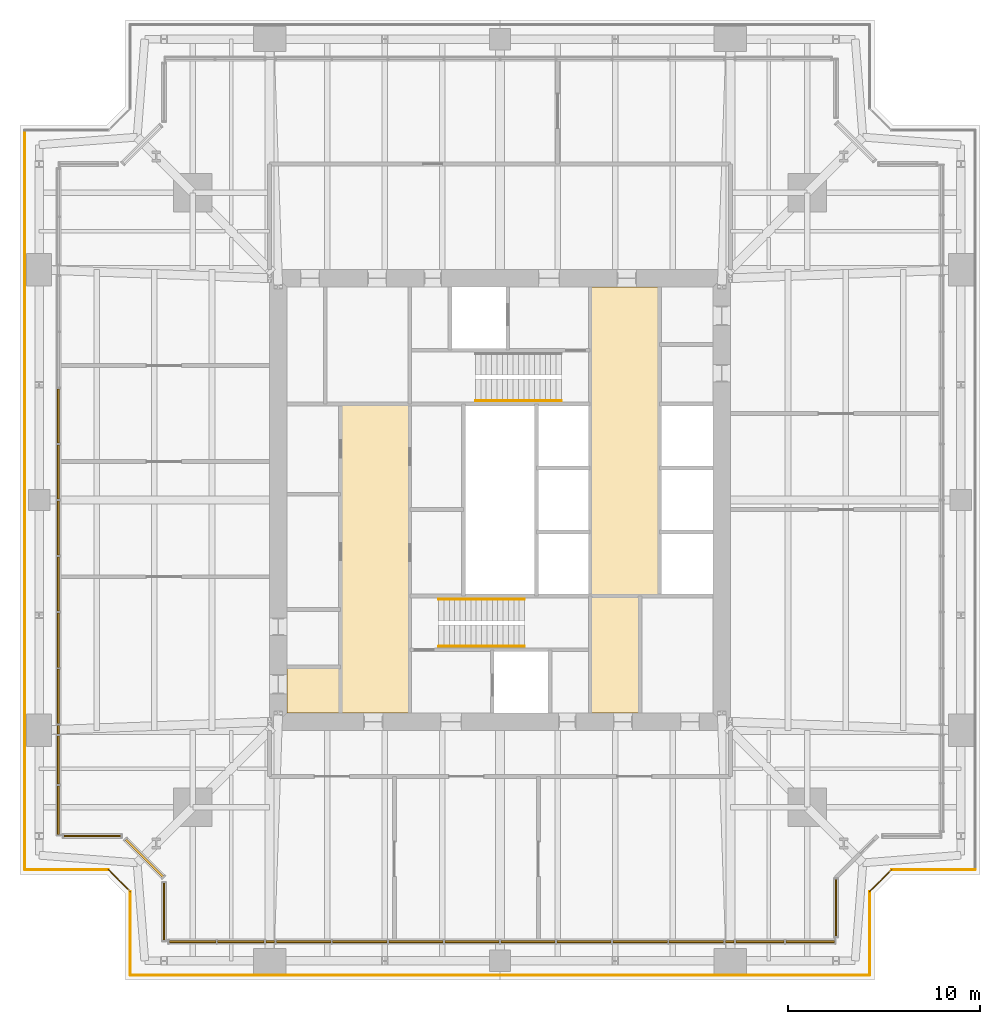
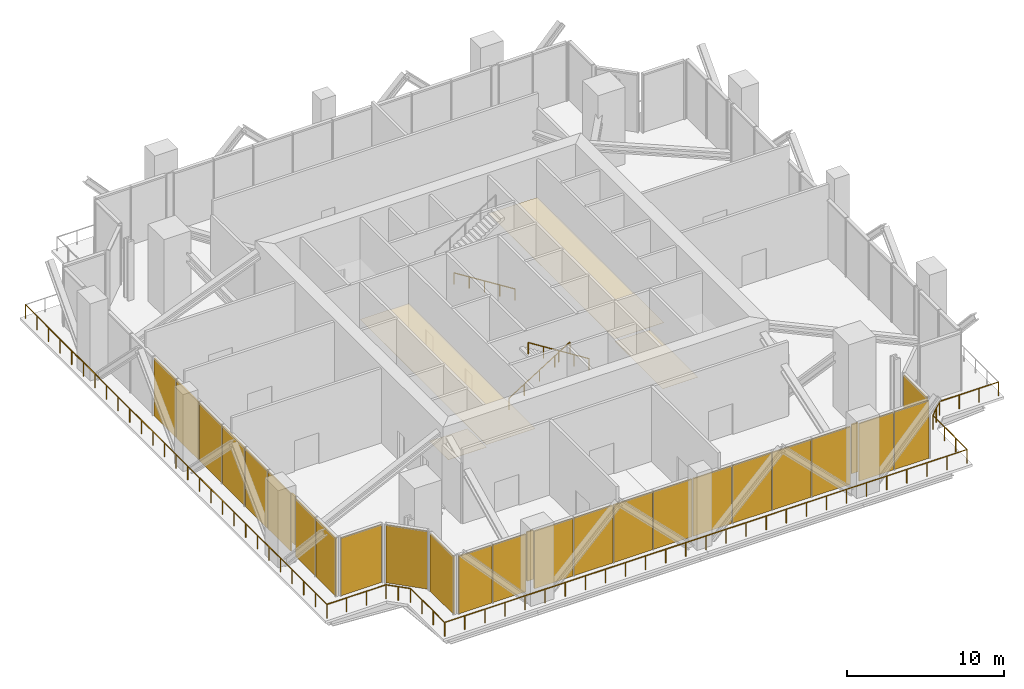
# One storey, part 12 of 14: 27 shading devices, 11 railings, 4 coverings, 9 elements without a shape of their own.
"""IFC4 building model written with IfcOpenShell, lengths in metres."""

from ifc_helpers import new_model, si_unit, direction, frame, origin, origin_2d, place, context, subcontext, project, spatial, polyline, rectangle, circle, outline, extrude, material, layer, layer_set, type_object, element, aggregate, save


model = new_model("IFC4")

# Units and contexts
model_context = context("Model", 3, precision=1e-05, world=origin(), true_north=direction((0.0, 1.0)))
body_context = subcontext(model_context, "Body", "Model", "MODEL_VIEW")
ifc_project = project(units=[si_unit("LENGTHUNIT", "METRE"), si_unit("AREAUNIT", "SQUARE_METRE"), si_unit("VOLUMEUNIT", "CUBIC_METRE"), si_unit("PLANEANGLEUNIT", "RADIAN"), si_unit("MASSUNIT", "GRAM", prefix="KILO")], contexts=[model_context])

# Site, building, storey
site_placement = place(None, origin())
site = spatial("IfcSite", under=ifc_project, at=site_placement, CompositionType="ELEMENT")
building_placement = place(site_placement, origin())
building = spatial("IfcBuilding", under=site, at=building_placement, Name="Fenwick Lantern Interchange", CompositionType="ELEMENT")
storey_placement = place(building_placement, frame((0.0, 0.0, 233.800048828125)))
storey = spatial("IfcBuildingStorey", under=building, at=storey_placement, Name="L55", CompositionType="ELEMENT", Elevation=233.800048828125)

# Railings
ifc_material_1 = material(Name="Stainless steel handrail", Category="steel")
railing_type_1 = type_object("IfcRailingType", Name="HANDRAIL 900", PredefinedType="HANDRAIL", material=ifc_material_1)
railing_1_placement = place(storey_placement, frame((21.800048828125, 19.825927734375, 0.176513671875)))
element("IfcRailing", 1, at=railing_1_placement, inside=storey, type_object=railing_type_1, Name="L55/STAIR/ST1/HR1", PredefinedType="HANDRAIL", context=body_context, shape_type="SweptSolid", body=[
    extrude(circle(Radius=0.02392578125, at=origin_2d()), frame((0.0, 0.0, 0.8759765625), z_axis=(0.845997938375, 0.0, 0.533186166611), x_axis=(0.0, 1.0, 0.0)), (0.0, 0.0, 1.0), 5.29541015625),
    extrude(circle(Radius=0.02099609375, at=origin_2d()), origin(), (0.0, 0.0, 1.0), 0.851806640625),
    extrude(circle(Radius=0.02099609375, at=origin_2d()), frame((1.1201171875, 0.0, 0.705810546875)), (0.0, 0.0, 1.0), 0.851806640625),
    extrude(circle(Radius=0.02099609375, at=origin_2d()), frame((2.239990234375, 0.0, 1.41162109375)), (0.0, 0.0, 1.0), 0.851806640625),
    extrude(circle(Radius=0.02099609375, at=origin_2d()), frame((3.35986328125, 0.0, 2.11767578125)), (0.0, 0.0, 1.0), 0.851806640625),
    extrude(circle(Radius=0.02099609375, at=origin_2d()), frame((4.47998046875, 0.0, 2.823486328125)), (0.0, 0.0, 1.0), 0.851806640625),
])
for number, where, name in (
    (2, (26.280029296875, 17.3740234375, 3.176513671875), "L55/STAIR/ST1/HR2"),
    (3, (28.199951171875, 30.174072265625, 0.176513671875), "L55/STAIR/ST2/HR1"),
):
    element("IfcRailing", number, at=place(storey_placement, frame(where)), inside=storey, type_object=railing_type_1, Name=name, PredefinedType="HANDRAIL", context=body_context, shape_type="SweptSolid", body=[
        extrude(circle(Radius=0.02392578125, at=origin_2d()), frame((0.0, 0.0, 0.8759765625), z_axis=(-0.845997938375, 0.0, 0.533186166611), x_axis=(0.0, -1.0, 0.0)), (0.0, 0.0, 1.0), 5.29541015625),
        extrude(circle(Radius=0.02099609375, at=origin_2d()), origin(), (0.0, 0.0, 1.0), 0.851806640625),
        extrude(circle(Radius=0.02099609375, at=origin_2d()), frame((-1.1201171875, 0.0, 0.705810546875)), (0.0, 0.0, 1.0), 0.851806640625),
        extrude(circle(Radius=0.02099609375, at=origin_2d()), frame((-2.239990234375, 0.0, 1.41162109375)), (0.0, 0.0, 1.0), 0.851806640625),
        extrude(circle(Radius=0.02099609375, at=origin_2d()), frame((-3.35986328125, 0.0, 2.11767578125)), (0.0, 0.0, 1.0), 0.851806640625),
        extrude(circle(Radius=0.02099609375, at=origin_2d()), frame((-4.47998046875, 0.0, 2.823486328125)), (0.0, 0.0, 1.0), 0.851806640625),
    ])
ifc_material_2 = material(Name="Galvanised steel guard", Category="steel")
railing_type_2 = type_object("IfcRailingType", Name="MAINTENANCE LEDGE GUARD 1100", PredefinedType="GUARDRAIL", material=ifc_material_2)
railing_2_placement = place(storey_placement, frame((5.75, 0.25, 0.0)))
element("IfcRailing", 4, at=railing_2_placement, inside=storey, type_object=railing_type_2, Name="L55/GR/LEDGE01", PredefinedType="GUARDRAIL", context=body_context, shape_type="SweptSolid", body=[
    extrude(circle(Radius=0.02392578125, at=origin_2d()), frame((0.0, 0.0, 1.076171875), z_axis=(1.0, 0.0, 0.0), x_axis=(0.0, 1.0, 0.0)), (0.0, 0.0, 1.0), 38.5),
    extrude(circle(Radius=0.02099609375, at=origin_2d()), origin(), (0.0, 0.0, 1.0), 1.052001953125),
    extrude(circle(Radius=0.02099609375, at=origin_2d()), frame((1.480712890625, 0.0, 0.0)), (0.0, 0.0, 1.0), 1.052001953125),
    extrude(circle(Radius=0.02099609375, at=origin_2d()), frame((2.96142578125, 0.0, 0.0)), (0.0, 0.0, 1.0), 1.052001953125),
    extrude(circle(Radius=0.02099609375, at=origin_2d()), frame((4.4423828125, 0.0, 0.0)), (0.0, 0.0, 1.0), 1.052001953125),
    extrude(circle(Radius=0.02099609375, at=origin_2d()), frame((5.923095703125, 0.0, 0.0)), (0.0, 0.0, 1.0), 1.052001953125),
    extrude(circle(Radius=0.02099609375, at=origin_2d()), frame((7.40380859375, 0.0, 0.0)), (0.0, 0.0, 1.0), 1.052001953125),
    extrude(circle(Radius=0.02099609375, at=origin_2d()), frame((8.884521484375, 0.0, 0.0)), (0.0, 0.0, 1.0), 1.052001953125),
    extrude(circle(Radius=0.02099609375, at=origin_2d()), frame((10.365478515625, 0.0, 0.0)), (0.0, 0.0, 1.0), 1.052001953125),
    extrude(circle(Radius=0.02099609375, at=origin_2d()), frame((11.84619140625, 0.0, 0.0)), (0.0, 0.0, 1.0), 1.052001953125),
    extrude(circle(Radius=0.02099609375, at=origin_2d()), frame((13.326904296875, 0.0, 0.0)), (0.0, 0.0, 1.0), 1.052001953125),
    extrude(circle(Radius=0.02099609375, at=origin_2d()), frame((14.8076171875, 0.0, 0.0)), (0.0, 0.0, 1.0), 1.052001953125),
    extrude(circle(Radius=0.02099609375, at=origin_2d()), frame((16.28857421875, 0.0, 0.0)), (0.0, 0.0, 1.0), 1.052001953125),
    extrude(circle(Radius=0.02099609375, at=origin_2d()), frame((17.769287109375, 0.0, 0.0)), (0.0, 0.0, 1.0), 1.052001953125),
    extrude(circle(Radius=0.02099609375, at=origin_2d()), frame((19.25, 0.0, 0.0)), (0.0, 0.0, 1.0), 1.052001953125),
    extrude(circle(Radius=0.02099609375, at=origin_2d()), frame((20.730712890625, 0.0, 0.0)), (0.0, 0.0, 1.0), 1.052001953125),
    extrude(circle(Radius=0.02099609375, at=origin_2d()), frame((22.21142578125, 0.0, 0.0)), (0.0, 0.0, 1.0), 1.052001953125),
    extrude(circle(Radius=0.02099609375, at=origin_2d()), frame((23.6923828125, 0.0, 0.0)), (0.0, 0.0, 1.0), 1.052001953125),
    extrude(circle(Radius=0.02099609375, at=origin_2d()), frame((25.173095703125, 0.0, 0.0)), (0.0, 0.0, 1.0), 1.052001953125),
    extrude(circle(Radius=0.02099609375, at=origin_2d()), frame((26.65380859375, 0.0, 0.0)), (0.0, 0.0, 1.0), 1.052001953125),
    extrude(circle(Radius=0.02099609375, at=origin_2d()), frame((28.134521484375, 0.0, 0.0)), (0.0, 0.0, 1.0), 1.052001953125),
    extrude(circle(Radius=0.02099609375, at=origin_2d()), frame((29.615478515625, 0.0, 0.0)), (0.0, 0.0, 1.0), 1.052001953125),
    extrude(circle(Radius=0.02099609375, at=origin_2d()), frame((31.09619140625, 0.0, 0.0)), (0.0, 0.0, 1.0), 1.052001953125),
    extrude(circle(Radius=0.02099609375, at=origin_2d()), frame((32.576904296875, 0.0, 0.0)), (0.0, 0.0, 1.0), 1.052001953125),
    extrude(circle(Radius=0.02099609375, at=origin_2d()), frame((34.0576171875, 0.0, 0.0)), (0.0, 0.0, 1.0), 1.052001953125),
    extrude(circle(Radius=0.02099609375, at=origin_2d()), frame((35.53857421875, 0.0, 0.0)), (0.0, 0.0, 1.0), 1.052001953125),
    extrude(circle(Radius=0.02099609375, at=origin_2d()), frame((37.019287109375, 0.0, 0.0)), (0.0, 0.0, 1.0), 1.052001953125),
    extrude(circle(Radius=0.02099609375, at=origin_2d()), frame((38.5, 0.0, 0.0)), (0.0, 0.0, 1.0), 1.052001953125),
])
railing_3_placement = place(storey_placement, frame((44.25, 0.25, 0.0)))
element("IfcRailing", 5, at=railing_3_placement, inside=storey, type_object=railing_type_2, Name="L55/GR/LEDGE02", PredefinedType="GUARDRAIL", context=body_context, shape_type="SweptSolid", body=[
    extrude(circle(Radius=0.02392578125, at=origin_2d()), frame((0.0, 0.0, 1.076171875), z_axis=(0.0, 1.0, 0.0), x_axis=(-1.0, 0.0, 0.0)), (0.0, 0.0, 1.0), 4.353515625),
    extrude(circle(Radius=0.02099609375, at=origin_2d()), origin(), (0.0, 0.0, 1.0), 1.052001953125),
    extrude(circle(Radius=0.02099609375, at=origin_2d()), frame((0.0, 1.451171875, 0.0)), (0.0, 0.0, 1.0), 1.052001953125),
    extrude(circle(Radius=0.02099609375, at=origin_2d()), frame((0.0, 2.90234375, 0.0)), (0.0, 0.0, 1.0), 1.052001953125),
    extrude(circle(Radius=0.02099609375, at=origin_2d()), frame((0.0, 4.353515625, 0.0)), (0.0, 0.0, 1.0), 1.052001953125),
])
railing_4_placement = place(storey_placement, frame((44.25, 4.603515625, 0.0)))
element("IfcRailing", 6, at=railing_4_placement, inside=storey, type_object=railing_type_2, Name="L55/GR/LEDGE03", PredefinedType="GUARDRAIL", context=body_context, shape_type="SweptSolid", body=[
    extrude(circle(Radius=0.02392578125, at=origin_2d()), frame((0.0, 0.0, 1.076171875), z_axis=(0.707106781187, 0.707106781187, 0.0), x_axis=(-0.707106781187, 0.707106781187, 0.0)), (0.0, 0.0, 1.0), 1.621337890625),
    extrude(circle(Radius=0.02099609375, at=origin_2d()), origin(), (0.0, 0.0, 1.0), 1.052001953125),
    extrude(circle(Radius=0.02099609375, at=origin_2d()), frame((0.5732421875, 0.5732421875, 0.0)), (0.0, 0.0, 1.0), 1.052001953125),
    extrude(circle(Radius=0.02099609375, at=origin_2d()), frame((1.146484375, 1.146484375, 0.0)), (0.0, 0.0, 1.0), 1.052001953125),
])
railing_5_placement = place(storey_placement, frame((45.396484375, 5.75, 0.0)))
element("IfcRailing", 7, at=railing_5_placement, inside=storey, type_object=railing_type_2, Name="L55/GR/LEDGE04", PredefinedType="GUARDRAIL", context=body_context, shape_type="SweptSolid", body=[
    extrude(circle(Radius=0.02392578125, at=origin_2d()), frame((0.0, 0.0, 1.076171875), z_axis=(1.0, 0.0, 0.0), x_axis=(0.0, 1.0, 0.0)), (0.0, 0.0, 1.0), 4.353515625),
    extrude(circle(Radius=0.02099609375, at=origin_2d()), origin(), (0.0, 0.0, 1.0), 1.052001953125),
    extrude(circle(Radius=0.02099609375, at=origin_2d()), frame((1.451171875, 0.0, 0.0)), (0.0, 0.0, 1.0), 1.052001953125),
    extrude(circle(Radius=0.02099609375, at=origin_2d()), frame((2.90234375, 0.0, 0.0)), (0.0, 0.0, 1.0), 1.052001953125),
    extrude(circle(Radius=0.02099609375, at=origin_2d()), frame((4.353515625, 0.0, 0.0)), (0.0, 0.0, 1.0), 1.052001953125),
])
railing_6_placement = place(storey_placement, frame((0.25, 44.25, 0.0)))
element("IfcRailing", 8, at=railing_6_placement, inside=storey, type_object=railing_type_2, Name="L55/GR/LEDGE13", PredefinedType="GUARDRAIL", context=body_context, shape_type="SweptSolid", body=[
    extrude(circle(Radius=0.02392578125, at=origin_2d()), frame((0.0, 0.0, 1.076171875), z_axis=(0.0, -1.0, 0.0), x_axis=(1.0, 0.0, 0.0)), (0.0, 0.0, 1.0), 38.5),
    extrude(circle(Radius=0.02099609375, at=origin_2d()), origin(), (0.0, 0.0, 1.0), 1.052001953125),
    extrude(circle(Radius=0.02099609375, at=origin_2d()), frame((0.0, -1.480712890625, 0.0)), (0.0, 0.0, 1.0), 1.052001953125),
    extrude(circle(Radius=0.02099609375, at=origin_2d()), frame((0.0, -2.96142578125, 0.0)), (0.0, 0.0, 1.0), 1.052001953125),
    extrude(circle(Radius=0.02099609375, at=origin_2d()), frame((0.0, -4.4423828125, 0.0)), (0.0, 0.0, 1.0), 1.052001953125),
    extrude(circle(Radius=0.02099609375, at=origin_2d()), frame((0.0, -5.923095703125, 0.0)), (0.0, 0.0, 1.0), 1.052001953125),
    extrude(circle(Radius=0.02099609375, at=origin_2d()), frame((0.0, -7.40380859375, 0.0)), (0.0, 0.0, 1.0), 1.052001953125),
    extrude(circle(Radius=0.02099609375, at=origin_2d()), frame((0.0, -8.884521484375, 0.0)), (0.0, 0.0, 1.0), 1.052001953125),
    extrude(circle(Radius=0.02099609375, at=origin_2d()), frame((0.0, -10.365478515625, 0.0)), (0.0, 0.0, 1.0), 1.052001953125),
    extrude(circle(Radius=0.02099609375, at=origin_2d()), frame((0.0, -11.84619140625, 0.0)), (0.0, 0.0, 1.0), 1.052001953125),
    extrude(circle(Radius=0.02099609375, at=origin_2d()), frame((0.0, -13.326904296875, 0.0)), (0.0, 0.0, 1.0), 1.052001953125),
    extrude(circle(Radius=0.02099609375, at=origin_2d()), frame((0.0, -14.8076171875, 0.0)), (0.0, 0.0, 1.0), 1.052001953125),
    extrude(circle(Radius=0.02099609375, at=origin_2d()), frame((0.0, -16.28857421875, 0.0)), (0.0, 0.0, 1.0), 1.052001953125),
    extrude(circle(Radius=0.02099609375, at=origin_2d()), frame((0.0, -17.769287109375, 0.0)), (0.0, 0.0, 1.0), 1.052001953125),
    extrude(circle(Radius=0.02099609375, at=origin_2d()), frame((0.0, -19.25, 0.0)), (0.0, 0.0, 1.0), 1.052001953125),
    extrude(circle(Radius=0.02099609375, at=origin_2d()), frame((0.0, -20.730712890625, 0.0)), (0.0, 0.0, 1.0), 1.052001953125),
    extrude(circle(Radius=0.02099609375, at=origin_2d()), frame((0.0, -22.21142578125, 0.0)), (0.0, 0.0, 1.0), 1.052001953125),
    extrude(circle(Radius=0.02099609375, at=origin_2d()), frame((0.0, -23.6923828125, 0.0)), (0.0, 0.0, 1.0), 1.052001953125),
    extrude(circle(Radius=0.02099609375, at=origin_2d()), frame((0.0, -25.173095703125, 0.0)), (0.0, 0.0, 1.0), 1.052001953125),
    extrude(circle(Radius=0.02099609375, at=origin_2d()), frame((0.0, -26.65380859375, 0.0)), (0.0, 0.0, 1.0), 1.052001953125),
    extrude(circle(Radius=0.02099609375, at=origin_2d()), frame((0.0, -28.134521484375, 0.0)), (0.0, 0.0, 1.0), 1.052001953125),
    extrude(circle(Radius=0.02099609375, at=origin_2d()), frame((0.0, -29.615478515625, 0.0)), (0.0, 0.0, 1.0), 1.052001953125),
    extrude(circle(Radius=0.02099609375, at=origin_2d()), frame((0.0, -31.09619140625, 0.0)), (0.0, 0.0, 1.0), 1.052001953125),
    extrude(circle(Radius=0.02099609375, at=origin_2d()), frame((0.0, -32.576904296875, 0.0)), (0.0, 0.0, 1.0), 1.052001953125),
    extrude(circle(Radius=0.02099609375, at=origin_2d()), frame((0.0, -34.0576171875, 0.0)), (0.0, 0.0, 1.0), 1.052001953125),
    extrude(circle(Radius=0.02099609375, at=origin_2d()), frame((0.0, -35.53857421875, 0.0)), (0.0, 0.0, 1.0), 1.052001953125),
    extrude(circle(Radius=0.02099609375, at=origin_2d()), frame((0.0, -37.019287109375, 0.0)), (0.0, 0.0, 1.0), 1.052001953125),
    extrude(circle(Radius=0.02099609375, at=origin_2d()), frame((0.0, -38.5, 0.0)), (0.0, 0.0, 1.0), 1.052001953125),
])
railing_7_placement = place(storey_placement, frame((0.25, 5.75, 0.0)))
element("IfcRailing", 9, at=railing_7_placement, inside=storey, type_object=railing_type_2, Name="L55/GR/LEDGE14", PredefinedType="GUARDRAIL", context=body_context, shape_type="SweptSolid", body=[
    extrude(circle(Radius=0.02392578125, at=origin_2d()), frame((0.0, 0.0, 1.076171875), z_axis=(1.0, 0.0, 0.0), x_axis=(0.0, 1.0, 0.0)), (0.0, 0.0, 1.0), 4.353515625),
    extrude(circle(Radius=0.02099609375, at=origin_2d()), origin(), (0.0, 0.0, 1.0), 1.052001953125),
    extrude(circle(Radius=0.02099609375, at=origin_2d()), frame((1.451171875, 0.0, 0.0)), (0.0, 0.0, 1.0), 1.052001953125),
    extrude(circle(Radius=0.02099609375, at=origin_2d()), frame((2.90234375, 0.0, 0.0)), (0.0, 0.0, 1.0), 1.052001953125),
    extrude(circle(Radius=0.02099609375, at=origin_2d()), frame((4.353515625, 0.0, 0.0)), (0.0, 0.0, 1.0), 1.052001953125),
])
railing_8_placement = place(storey_placement, frame((4.603515625, 5.75, 0.0)))
element("IfcRailing", 10, at=railing_8_placement, inside=storey, type_object=railing_type_2, Name="L55/GR/LEDGE15", PredefinedType="GUARDRAIL", context=body_context, shape_type="SweptSolid", body=[
    extrude(circle(Radius=0.02392578125, at=origin_2d()), frame((0.0, 0.0, 1.076171875), z_axis=(0.707106781187, -0.707106781187, 0.0), x_axis=(0.707106781187, 0.707106781187, 0.0)), (0.0, 0.0, 1.0), 1.621337890625),
    extrude(circle(Radius=0.02099609375, at=origin_2d()), origin(), (0.0, 0.0, 1.0), 1.052001953125),
    extrude(circle(Radius=0.02099609375, at=origin_2d()), frame((0.5732421875, -0.5732421875, 0.0)), (0.0, 0.0, 1.0), 1.052001953125),
    extrude(circle(Radius=0.02099609375, at=origin_2d()), frame((1.146484375, -1.146484375, 0.0)), (0.0, 0.0, 1.0), 1.052001953125),
])
railing_9_placement = place(storey_placement, frame((5.75, 4.603515625, 0.0)))
element("IfcRailing", 11, at=railing_9_placement, inside=storey, type_object=railing_type_2, Name="L55/GR/LEDGE16", PredefinedType="GUARDRAIL", context=body_context, shape_type="SweptSolid", body=[
    extrude(circle(Radius=0.02392578125, at=origin_2d()), frame((0.0, 0.0, 1.076171875), z_axis=(0.0, -1.0, 0.0), x_axis=(1.0, 0.0, 0.0)), (0.0, 0.0, 1.0), 4.353515625),
    extrude(circle(Radius=0.02099609375, at=origin_2d()), origin(), (0.0, 0.0, 1.0), 1.052001953125),
    extrude(circle(Radius=0.02099609375, at=origin_2d()), frame((0.0, -1.451171875, 0.0)), (0.0, 0.0, 1.0), 1.052001953125),
    extrude(circle(Radius=0.02099609375, at=origin_2d()), frame((0.0, -2.90234375, 0.0)), (0.0, 0.0, 1.0), 1.052001953125),
    extrude(circle(Radius=0.02099609375, at=origin_2d()), frame((0.0, -4.353515625, 0.0)), (0.0, 0.0, 1.0), 1.052001953125),
])

# Coverings
ifc_material_3 = material(Name="Moisture resistant gypsum board on suspended frame, painted")
ifc_layer_1 = layer(ifc_material_3, 0.014892578125)
ifc_layer_set_1 = layer_set([ifc_layer_1], Name="MOISTURE RESISTANT CEILING 15")
covering_type_1 = type_object("IfcCoveringType", Name="MOISTURE RESISTANT CEILING 15", PredefinedType="CEILING", material=ifc_layer_set_1)
covering_1_placement = place(storey_placement, frame((0.0, 0.0, 2.599853515625)))
element("IfcCovering", 12, at=covering_1_placement, inside=storey, type_object=covering_type_1, Name="Men's WC ceiling", PredefinedType="CEILING", context=body_context, shape_type="SweptSolid", body=[
    extrude(outline(polyline([(29.699951171875, 13.89990234375), (32.300048828125, 13.89990234375), (32.300048828125, 20.0), (29.699951171875, 20.0), (29.699951171875, 13.89990234375)])), origin(), (0.0, 0.0, 1.0), 0.01513671875),
])
covering_2_placement = place(storey_placement, frame((0.0, 0.0, 2.599853515625)))
element("IfcCovering", 13, at=covering_2_placement, inside=storey, type_object=covering_type_1, Name="Accessible WC ceiling", PredefinedType="CEILING", context=body_context, shape_type="SweptSolid", body=[
    extrude(outline(polyline([(13.89990234375, 13.89990234375), (16.699951171875, 13.89990234375), (16.699951171875, 16.300048828125), (13.89990234375, 16.300048828125), (13.89990234375, 13.89990234375)])), origin(), (0.0, 0.0, 1.0), 0.01513671875),
])

# Curtain wall, shading device
ifc_material_4 = material(Name="Aluminium curtain wall frame", Category="aluminium")
curtain_wall_type = type_object("IfcCurtainWallType", Name="PLANT LOUVRE SCREEN", PredefinedType="USERDEFINED", material=ifc_material_4)
curtain_wall_1_placement = place(storey_placement, origin())
curtain_wall_1 = element("IfcCurtainWall", 14, at=curtain_wall_1_placement, inside=storey, type_object=curtain_wall_type, Name="Plant louvre screen 01", ObjectType="PLANT LOUVRE SCREEN", PredefinedType="USERDEFINED")
ifc_material_5 = material(Name="Louvre panel, anodised aluminium blades", Category="aluminium")
ifc_layer_2 = layer(ifc_material_5, 0.10009765625)
ifc_layer_set_2 = layer_set([ifc_layer_2], Name="PLANT LOUVRE SCREEN PANEL 100")
shading_device_type = type_object("IfcShadingDeviceType", Name="PLANT LOUVRE SCREEN PANEL 100", PredefinedType="SHUTTER", material=ifc_layer_set_2)
shading_device_1_placement = place(storey_placement, frame((42.5, 3.76416015625, 0.0), z_axis=(0.0, 0.0, 1.0), x_axis=(0.0, 1.0, 0.0)))
shading_device_1 = element("IfcShadingDevice", 15, at=shading_device_1_placement, type_object=shading_device_type, Name="L55/CW/01/P00", PredefinedType="SHUTTER", context=body_context, shape_type="SweptSolid", body=[
    extrude(rectangle(XDim=2.978515625, YDim=0.10009765625, at=origin_2d()), origin(), (0.0, 0.0, 1.0), 4.47998046875),
])
aggregate(curtain_wall_1, [shading_device_1])

# Curtain wall, shading devices
curtain_wall_2_placement = place(storey_placement, origin())
curtain_wall_2 = element("IfcCurtainWall", 16, at=curtain_wall_2_placement, inside=storey, type_object=curtain_wall_type, Name="Plant louvre screen 12B", ObjectType="PLANT LOUVRE SCREEN", PredefinedType="USERDEFINED")
shading_device_2_placement = place(storey_placement, frame((2.0, 29.381103515625, 0.0), z_axis=(0.0, 0.0, 1.0), x_axis=(0.0, -1.0, 0.0)))
shading_device_2 = element("IfcShadingDevice", 17, at=shading_device_2_placement, type_object=shading_device_type, Name="L55/CW/12B/P02", PredefinedType="SHUTTER", context=body_context, shape_type="SweptSolid", body=[
    extrude(rectangle(XDim=2.845703125, YDim=0.10009765625, at=origin_2d()), origin(), (0.0, 0.0, 1.0), 4.47998046875),
])
shading_device_3_placement = place(storey_placement, frame((2.0, 26.46044921875, 0.0), z_axis=(0.0, 0.0, 1.0), x_axis=(0.0, -1.0, 0.0)))
shading_device_3 = element("IfcShadingDevice", 18, at=shading_device_3_placement, type_object=shading_device_type, Name="L55/CW/12B/P03", PredefinedType="SHUTTER", context=body_context, shape_type="SweptSolid", body=[
    extrude(rectangle(XDim=2.845703125, YDim=0.10009765625, at=origin_2d()), origin(), (0.0, 0.0, 1.0), 4.47998046875),
])
shading_device_4_placement = place(storey_placement, frame((2.0, 23.53955078125, 0.0), z_axis=(0.0, 0.0, 1.0), x_axis=(0.0, -1.0, 0.0)))
shading_device_4 = element("IfcShadingDevice", 19, at=shading_device_4_placement, type_object=shading_device_type, Name="L55/CW/12B/P04", PredefinedType="SHUTTER", context=body_context, shape_type="SweptSolid", body=[
    extrude(rectangle(XDim=2.845703125, YDim=0.10009765625, at=origin_2d()), origin(), (0.0, 0.0, 1.0), 4.47998046875),
])
shading_device_5_placement = place(storey_placement, frame((2.0, 20.618896484375, 0.0), z_axis=(0.0, 0.0, 1.0), x_axis=(0.0, -1.0, 0.0)))
shading_device_5 = element("IfcShadingDevice", 20, at=shading_device_5_placement, type_object=shading_device_type, Name="L55/CW/12B/P05", PredefinedType="SHUTTER", context=body_context, shape_type="SweptSolid", body=[
    extrude(rectangle(XDim=2.845703125, YDim=0.10009765625, at=origin_2d()), origin(), (0.0, 0.0, 1.0), 4.47998046875),
])
shading_device_6_placement = place(storey_placement, frame((2.0, 17.6982421875, 0.0), z_axis=(0.0, 0.0, 1.0), x_axis=(0.0, -1.0, 0.0)))
shading_device_6 = element("IfcShadingDevice", 21, at=shading_device_6_placement, type_object=shading_device_type, Name="L55/CW/12B/P06", PredefinedType="SHUTTER", context=body_context, shape_type="SweptSolid", body=[
    extrude(rectangle(XDim=2.845703125, YDim=0.10009765625, at=origin_2d()), origin(), (0.0, 0.0, 1.0), 4.47998046875),
])
shading_device_7_placement = place(storey_placement, frame((2.0, 14.777587890625, 0.0), z_axis=(0.0, 0.0, 1.0), x_axis=(0.0, -1.0, 0.0)))
shading_device_7 = element("IfcShadingDevice", 22, at=shading_device_7_placement, type_object=shading_device_type, Name="L55/CW/12B/P07", PredefinedType="SHUTTER", context=body_context, shape_type="SweptSolid", body=[
    extrude(rectangle(XDim=2.845703125, YDim=0.10009765625, at=origin_2d()), origin(), (0.0, 0.0, 1.0), 4.47998046875),
])
aggregate(curtain_wall_2, [shading_device_2, shading_device_3, shading_device_4, shading_device_5, shading_device_6, shading_device_7])

curtain_wall_3_placement = place(storey_placement, origin())
curtain_wall_3 = element("IfcCurtainWall", 23, at=curtain_wall_3_placement, inside=storey, type_object=curtain_wall_type, Name="Plant louvre screen 12C", ObjectType="PLANT LOUVRE SCREEN", PredefinedType="USERDEFINED")
shading_device_8_placement = place(storey_placement, frame((2.0, 11.45263671875, 0.0), z_axis=(0.0, 0.0, 1.0), x_axis=(0.0, -1.0, 0.0)))
shading_device_8 = element("IfcShadingDevice", 24, at=shading_device_8_placement, type_object=shading_device_type, Name="L55/CW/12C/P00", PredefinedType="SHUTTER", context=body_context, shape_type="SweptSolid", body=[
    extrude(rectangle(XDim=2.53515625, YDim=0.10009765625, at=origin_2d()), origin(), (0.0, 0.0, 1.0), 4.47998046875),
])
shading_device_9_placement = place(storey_placement, frame((2.0, 8.842529296875, 0.0), z_axis=(0.0, 0.0, 1.0), x_axis=(0.0, -1.0, 0.0)))
shading_device_9 = element("IfcShadingDevice", 25, at=shading_device_9_placement, type_object=shading_device_type, Name="L55/CW/12C/P01", PredefinedType="SHUTTER", context=body_context, shape_type="SweptSolid", body=[
    extrude(rectangle(XDim=2.53515625, YDim=0.10009765625, at=origin_2d()), origin(), (0.0, 0.0, 1.0), 4.47998046875),
])
aggregate(curtain_wall_3, [shading_device_8, shading_device_9])

# Shading device
shading_device_10_placement = place(storey_placement, frame((2.0, 13.03759765625, 0.8193359375), z_axis=(0.0, 0.0, 1.0), x_axis=(0.0, -1.0, 0.0)))
element("IfcShadingDevice", 26, at=shading_device_10_placement, inside=storey, type_object=shading_device_type, Name="Louvre screen infill 12-2", PredefinedType="SHUTTER", context=body_context, shape_type="SweptSolid", body=[
    extrude(rectangle(XDim=0.484375, YDim=0.10009765625, at=origin_2d()), origin(), (0.0, 0.0, 1.0), 3.78076171875),
])

# Curtain wall, shading device
curtain_wall_4_placement = place(storey_placement, origin())
curtain_wall_4 = element("IfcCurtainWall", 27, at=curtain_wall_4_placement, inside=storey, type_object=curtain_wall_type, Name="Plant louvre screen 13", ObjectType="PLANT LOUVRE SCREEN", PredefinedType="USERDEFINED")
shading_device_11_placement = place(storey_placement, frame((3.76416015625, 7.5, 0.0), z_axis=(0.0, 0.0, 1.0), x_axis=(1.0, 0.0, 0.0)))
shading_device_11 = element("IfcShadingDevice", 28, at=shading_device_11_placement, type_object=shading_device_type, Name="L55/CW/13/P00", PredefinedType="SHUTTER", context=body_context, shape_type="SweptSolid", body=[
    extrude(rectangle(XDim=2.978515625, YDim=0.10009765625, at=origin_2d()), origin(), (0.0, 0.0, 1.0), 4.47998046875),
])
aggregate(curtain_wall_4, [shading_device_11])

curtain_wall_5_placement = place(storey_placement, origin())
curtain_wall_5 = element("IfcCurtainWall", 29, at=curtain_wall_5_placement, inside=storey, type_object=curtain_wall_type, Name="Plant louvre screen 14", ObjectType="PLANT LOUVRE SCREEN", PredefinedType="USERDEFINED")
shading_device_12_placement = place(storey_placement, frame((6.48486328125, 6.343505859375, 0.0), z_axis=(0.0, 0.0, 1.0), x_axis=(0.707106781187, -0.707106781187, 0.0)))
shading_device_12 = element("IfcShadingDevice", 30, at=shading_device_12_placement, type_object=shading_device_type, Name="L55/CW/14/P00", PredefinedType="SHUTTER", context=body_context, shape_type="SweptSolid", body=[
    extrude(rectangle(XDim=2.720947265625, YDim=0.10009765625, at=origin_2d()), origin(), (0.0, 0.0, 1.0), 4.47998046875),
])
aggregate(curtain_wall_5, [shading_device_12])

curtain_wall_6_placement = place(storey_placement, origin())
curtain_wall_6 = element("IfcCurtainWall", 31, at=curtain_wall_6_placement, inside=storey, type_object=curtain_wall_type, Name="Plant louvre screen 15", ObjectType="PLANT LOUVRE SCREEN", PredefinedType="USERDEFINED")
shading_device_13_placement = place(storey_placement, frame((7.5, 3.564208984375, 0.0), z_axis=(0.0, 0.0, 1.0), x_axis=(0.0, -1.0, 0.0)))
shading_device_13 = element("IfcShadingDevice", 32, at=shading_device_13_placement, type_object=shading_device_type, Name="L55/CW/15/P00", PredefinedType="SHUTTER", context=body_context, shape_type="SweptSolid", body=[
    extrude(rectangle(XDim=2.978515625, YDim=0.10009765625, at=origin_2d()), origin(), (0.0, 0.0, 1.0), 4.47998046875),
])
aggregate(curtain_wall_6, [shading_device_13])

# Curtain wall, shading devices
curtain_wall_7_placement = place(storey_placement, origin())
curtain_wall_7 = element("IfcCurtainWall", 33, at=curtain_wall_7_placement, inside=storey, type_object=curtain_wall_type, Name="Plant louvre screen 16A", ObjectType="PLANT LOUVRE SCREEN", PredefinedType="USERDEFINED")
shading_device_14_placement = place(storey_placement, frame((8.991943359375, 2.0, 0.0), z_axis=(0.0, 0.0, 1.0), x_axis=(1.0, 0.0, 0.0)))
shading_device_14 = element("IfcShadingDevice", 34, at=shading_device_14_placement, type_object=shading_device_type, Name="L55/CW/16A/P00", PredefinedType="SHUTTER", context=body_context, shape_type="SweptSolid", body=[
    extrude(rectangle(XDim=2.43408203125, YDim=0.10009765625, at=origin_2d()), origin(), (0.0, 0.0, 1.0), 4.47998046875),
])
shading_device_15_placement = place(storey_placement, frame((11.5009765625, 2.0, 0.0), z_axis=(0.0, 0.0, 1.0), x_axis=(1.0, 0.0, 0.0)))
shading_device_15 = element("IfcShadingDevice", 35, at=shading_device_15_placement, type_object=shading_device_type, Name="L55/CW/16A/P01", PredefinedType="SHUTTER", context=body_context, shape_type="SweptSolid", body=[
    extrude(rectangle(XDim=2.43408203125, YDim=0.10009765625, at=origin_2d()), origin(), (0.0, 0.0, 1.0), 4.47998046875),
])
aggregate(curtain_wall_7, [shading_device_14, shading_device_15])

curtain_wall_8_placement = place(storey_placement, origin())
curtain_wall_8 = element("IfcCurtainWall", 36, at=curtain_wall_8_placement, inside=storey, type_object=curtain_wall_type, Name="Plant louvre screen 16B", ObjectType="PLANT LOUVRE SCREEN", PredefinedType="USERDEFINED")
shading_device_16_placement = place(storey_placement, frame((14.77490234375, 2.0, 0.0), z_axis=(0.0, 0.0, 1.0), x_axis=(1.0, 0.0, 0.0)))
shading_device_16 = element("IfcShadingDevice", 37, at=shading_device_16_placement, type_object=shading_device_type, Name="L55/CW/16B/P00", PredefinedType="SHUTTER", context=body_context, shape_type="SweptSolid", body=[
    extrude(rectangle(XDim=2.846435546875, YDim=0.10009765625, at=origin_2d()), origin(), (0.0, 0.0, 1.0), 4.47998046875),
])
shading_device_17_placement = place(storey_placement, frame((17.6962890625, 2.0, 0.0), z_axis=(0.0, 0.0, 1.0), x_axis=(1.0, 0.0, 0.0)))
shading_device_17 = element("IfcShadingDevice", 38, at=shading_device_17_placement, type_object=shading_device_type, Name="L55/CW/16B/P01", PredefinedType="SHUTTER", context=body_context, shape_type="SweptSolid", body=[
    extrude(rectangle(XDim=2.846435546875, YDim=0.10009765625, at=origin_2d()), origin(), (0.0, 0.0, 1.0), 4.47998046875),
])
shading_device_18_placement = place(storey_placement, frame((20.617919921875, 2.0, 0.0), z_axis=(0.0, 0.0, 1.0), x_axis=(1.0, 0.0, 0.0)))
shading_device_18 = element("IfcShadingDevice", 39, at=shading_device_18_placement, type_object=shading_device_type, Name="L55/CW/16B/P02", PredefinedType="SHUTTER", context=body_context, shape_type="SweptSolid", body=[
    extrude(rectangle(XDim=2.846435546875, YDim=0.10009765625, at=origin_2d()), origin(), (0.0, 0.0, 1.0), 4.47998046875),
])
shading_device_19_placement = place(storey_placement, frame((23.539306640625, 2.0, 0.0), z_axis=(0.0, 0.0, 1.0), x_axis=(1.0, 0.0, 0.0)))
shading_device_19 = element("IfcShadingDevice", 40, at=shading_device_19_placement, type_object=shading_device_type, Name="L55/CW/16B/P03", PredefinedType="SHUTTER", context=body_context, shape_type="SweptSolid", body=[
    extrude(rectangle(XDim=2.846435546875, YDim=0.10009765625, at=origin_2d()), origin(), (0.0, 0.0, 1.0), 4.47998046875),
])
shading_device_20_placement = place(storey_placement, frame((26.460693359375, 2.0, 0.0), z_axis=(0.0, 0.0, 1.0), x_axis=(1.0, 0.0, 0.0)))
shading_device_20 = element("IfcShadingDevice", 41, at=shading_device_20_placement, type_object=shading_device_type, Name="L55/CW/16B/P04", PredefinedType="SHUTTER", context=body_context, shape_type="SweptSolid", body=[
    extrude(rectangle(XDim=2.846435546875, YDim=0.10009765625, at=origin_2d()), origin(), (0.0, 0.0, 1.0), 4.47998046875),
])
shading_device_21_placement = place(storey_placement, frame((29.382080078125, 2.0, 0.0), z_axis=(0.0, 0.0, 1.0), x_axis=(1.0, 0.0, 0.0)))
shading_device_21 = element("IfcShadingDevice", 42, at=shading_device_21_placement, type_object=shading_device_type, Name="L55/CW/16B/P05", PredefinedType="SHUTTER", context=body_context, shape_type="SweptSolid", body=[
    extrude(rectangle(XDim=2.846435546875, YDim=0.10009765625, at=origin_2d()), origin(), (0.0, 0.0, 1.0), 4.47998046875),
])
shading_device_22_placement = place(storey_placement, frame((32.3037109375, 2.0, 0.0), z_axis=(0.0, 0.0, 1.0), x_axis=(1.0, 0.0, 0.0)))
shading_device_22 = element("IfcShadingDevice", 43, at=shading_device_22_placement, type_object=shading_device_type, Name="L55/CW/16B/P06", PredefinedType="SHUTTER", context=body_context, shape_type="SweptSolid", body=[
    extrude(rectangle(XDim=2.846435546875, YDim=0.10009765625, at=origin_2d()), origin(), (0.0, 0.0, 1.0), 4.47998046875),
])
shading_device_23_placement = place(storey_placement, frame((35.22509765625, 2.0, 0.0), z_axis=(0.0, 0.0, 1.0), x_axis=(1.0, 0.0, 0.0)))
shading_device_23 = element("IfcShadingDevice", 44, at=shading_device_23_placement, type_object=shading_device_type, Name="L55/CW/16B/P07", PredefinedType="SHUTTER", context=body_context, shape_type="SweptSolid", body=[
    extrude(rectangle(XDim=2.846435546875, YDim=0.10009765625, at=origin_2d()), origin(), (0.0, 0.0, 1.0), 4.47998046875),
])
aggregate(curtain_wall_8, [shading_device_16, shading_device_17, shading_device_18, shading_device_19, shading_device_20, shading_device_21, shading_device_22, shading_device_23])

curtain_wall_9_placement = place(storey_placement, origin())
curtain_wall_9 = element("IfcCurtainWall", 45, at=curtain_wall_9_placement, inside=storey, type_object=curtain_wall_type, Name="Plant louvre screen 16C", ObjectType="PLANT LOUVRE SCREEN", PredefinedType="USERDEFINED")
shading_device_24_placement = place(storey_placement, frame((38.549072265625, 2.0, 0.0), z_axis=(0.0, 0.0, 1.0), x_axis=(1.0, 0.0, 0.0)))
shading_device_24 = element("IfcShadingDevice", 46, at=shading_device_24_placement, type_object=shading_device_type, Name="L55/CW/16C/P00", PredefinedType="SHUTTER", context=body_context, shape_type="SweptSolid", body=[
    extrude(rectangle(XDim=2.533935546875, YDim=0.10009765625, at=origin_2d()), origin(), (0.0, 0.0, 1.0), 4.47998046875),
])
shading_device_25_placement = place(storey_placement, frame((41.157958984375, 2.0, 0.0), z_axis=(0.0, 0.0, 1.0), x_axis=(1.0, 0.0, 0.0)))
shading_device_25 = element("IfcShadingDevice", 47, at=shading_device_25_placement, type_object=shading_device_type, Name="L55/CW/16C/P01", PredefinedType="SHUTTER", context=body_context, shape_type="SweptSolid", body=[
    extrude(rectangle(XDim=2.533935546875, YDim=0.10009765625, at=origin_2d()), origin(), (0.0, 0.0, 1.0), 4.47998046875),
])
aggregate(curtain_wall_9, [shading_device_24, shading_device_25])

# Shading devices
for number, where, z_axis, x_axis, name in (
    (48, (13.034912109375, 2.0, 0.7783203125), (0.0, 0.0, 1.0), (1.0, 0.0, 0.0), "Louvre screen infill 16-1"),
    (49, (36.965087890625, 2.0, 0.7783203125), (0.0, 0.0, 1.0), (1.0, 0.0, 0.0), "Louvre screen infill 16-2"),
):
    element("IfcShadingDevice", number, at=place(storey_placement, frame(where, z_axis=z_axis, x_axis=x_axis)), inside=storey, type_object=shading_device_type, Name=name, PredefinedType="SHUTTER", context=body_context, shape_type="SweptSolid", body=[
        extrude(rectangle(XDim=0.483642578125, YDim=0.10009765625, at=origin_2d()), origin(), (0.0, 0.0, 1.0), 3.821533203125),
    ])

# Coverings
ifc_material_6 = material(Name="Gypsum plasterboard on suspended frame, painted")
ifc_layer_3 = layer(ifc_material_6, 0.014892578125)
ifc_layer_set_3 = layer_set([ifc_layer_3], Name="PLASTERBOARD CEILING 15")
covering_type_2 = type_object("IfcCoveringType", Name="PLASTERBOARD CEILING 15", PredefinedType="CEILING", material=ifc_layer_set_3)
covering_3_placement = place(storey_placement, frame((0.0, 0.0, 2.800048828125)))
element("IfcCovering", 50, at=covering_3_placement, inside=storey, type_object=covering_type_2, Name="Lift lobby ceiling", PredefinedType="CEILING", context=body_context, shape_type="SweptSolid", body=[
    extrude(outline(polyline([(16.699951171875, 13.89990234375), (20.300048828125, 13.89990234375), (20.300048828125, 30.0), (16.699951171875, 30.0), (16.699951171875, 13.89990234375)])), origin(), (0.0, 0.0, 1.0), 0.014892578125),
])
covering_4_placement = place(storey_placement, frame((0.0, 0.0, 2.800048828125)))
element("IfcCovering", 51, at=covering_4_placement, inside=storey, type_object=covering_type_2, Name="Lift lobby ceiling", PredefinedType="CEILING", context=body_context, shape_type="SweptSolid", body=[
    extrude(outline(polyline([(33.300048828125, 36.10009765625), (29.699951171875, 36.10009765625), (29.699951171875, 20.0), (33.300048828125, 20.0), (33.300048828125, 36.10009765625)])), origin(), (0.0, 0.0, 1.0), 0.014892578125),
])

save(model, "model.ifc")
